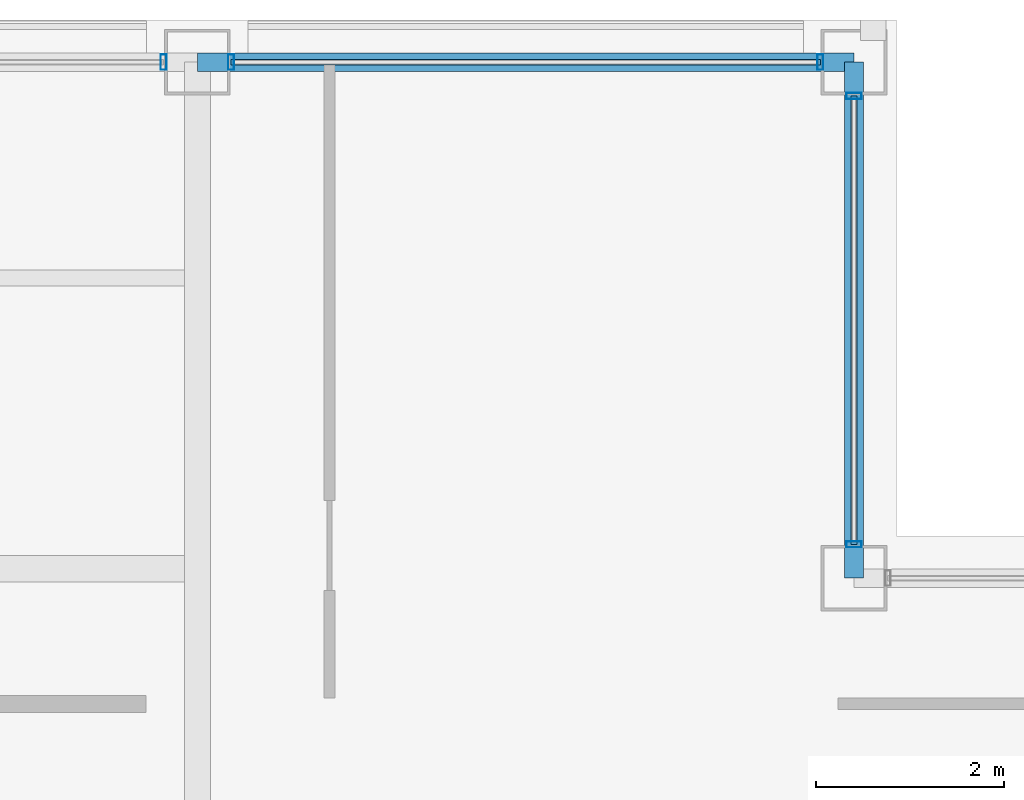
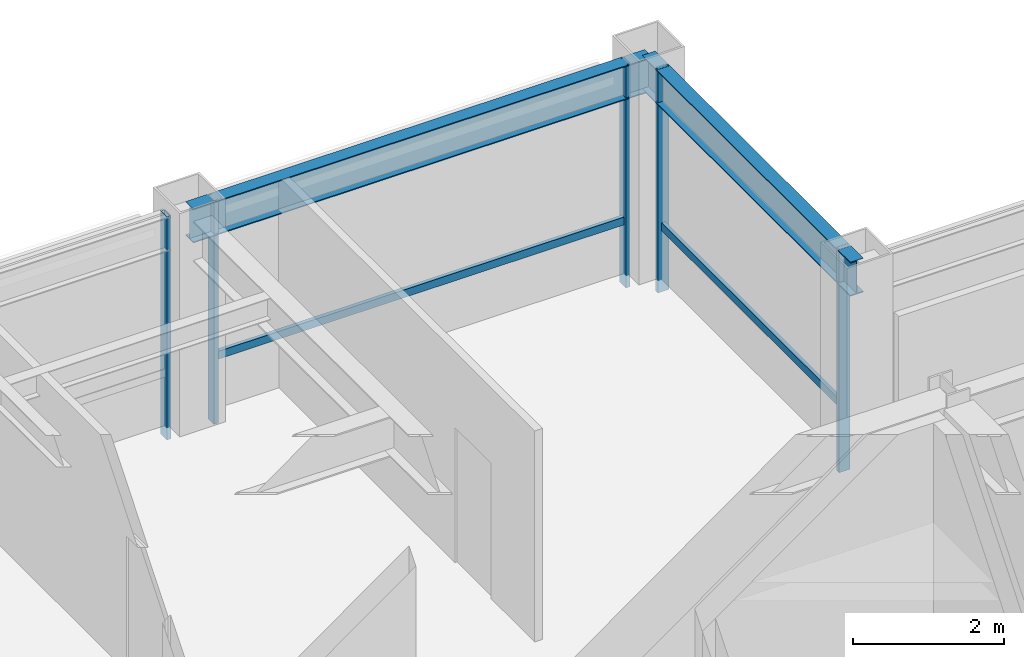
# One storey, part 20 of 26: 7 members, 2 beams, 3 elements without a shape of their own.
"""IFC4 building model written with IfcOpenShell, lengths in metres."""

from ifc_helpers import new_model, si_unit, direction, frame, origin, origin_2d, place, context, subcontext, project, spatial, hollow_rectangle, i_section, extrude, material, layer, layer_set, material_profile, profile_set, type_object, element, aggregate, save


model = new_model("IFC4")

# Units and contexts
model_context = context("Model", 3, precision=1e-05, world=origin(), true_north=direction((0.0, 1.0)))
body_context = subcontext(model_context, "Body", "Model", "MODEL_VIEW")
ifc_project = project(units=[si_unit("LENGTHUNIT", "METRE"), si_unit("AREAUNIT", "SQUARE_METRE"), si_unit("VOLUMEUNIT", "CUBIC_METRE"), si_unit("PLANEANGLEUNIT", "RADIAN"), si_unit("MASSUNIT", "GRAM", prefix="KILO")], contexts=[model_context])

# Site, building, storey
site_placement = place(None, origin())
site = spatial("IfcSite", under=ifc_project, at=site_placement, CompositionType="ELEMENT")
building_placement = place(site_placement, origin())
building = spatial("IfcBuilding", under=site, at=building_placement, Name="Brelmoor Portico Tower", CompositionType="ELEMENT")
storey_placement = place(building_placement, frame((0.0, 0.0, 205.5)))
storey = spatial("IfcBuildingStorey", under=building, at=storey_placement, Name="L54", CompositionType="ELEMENT", Elevation=205.5)

# Beams
ifc_material_1 = material(Name="Steel Q355B", Category="steel")
ifc_material_profile_1 = material_profile(ifc_material_1, i_section(OverallWidth=0.199951171875, OverallDepth=0.550048828125, WebThickness=0.010009765625, FlangeThickness=0.01611328125, at=origin_2d()), Name="HN 550x200x10x16")
ifc_profile_set_1 = profile_set([ifc_material_profile_1], Name="Steel Q355B")
beam_type = type_object("IfcBeamType", Name="BM-SP-550", PredefinedType="SPANDREL", material=ifc_profile_set_1)
beam_1_placement = place(storey_placement, frame((8.050048828125, 18.550048828125, 3.125), z_axis=(1.0, 0.0, 0.0), x_axis=(0.0, 1.0, 0.0)))
element("IfcBeam", 1, at=beam_1_placement, inside=storey, type_object=beam_type, Name="L54 Perimeter Spandrel Beam SP-10", PredefinedType="SPANDREL", context=body_context, shape_type="SweptSolid", body=[
    extrude(i_section(OverallWidth=0.199951171875, OverallDepth=0.550048828125, WebThickness=0.010009765625, FlangeThickness=0.01611328125, at=origin_2d()), origin(), (0.0, 0.0, 1.0), 7.0),
])
beam_2_placement = place(storey_placement, frame((15.050048828125, 13.050048828125, 3.125), z_axis=(0.0, 1.0, 0.0), x_axis=(-1.0, 0.0, 0.0)))
element("IfcBeam", 2, at=beam_2_placement, inside=storey, type_object=beam_type, Name="L54 Perimeter Spandrel Beam SP-17", PredefinedType="SPANDREL", context=body_context, shape_type="SweptSolid", body=[
    extrude(i_section(OverallWidth=0.199951171875, OverallDepth=0.550048828125, WebThickness=0.010009765625, FlangeThickness=0.01611328125, at=origin_2d()), origin(), (0.0, 0.0, 1.0), 5.5),
])

# Curtain wall, member
ifc_material_2 = material(Name="Anodised Aluminium Alloy 6063-T6", Category="aluminium")
ifc_layer_1 = layer(ifc_material_2, 0.179931640625)
ifc_layer_set_1 = layer_set([ifc_layer_1], Name="Anodised Aluminium Alloy 6063-T6")
curtain_wall_type_1 = type_object("IfcCurtainWallType", Name="CW-TOWER-Z3", PredefinedType="NOTDEFINED", material=ifc_layer_set_1)
curtain_wall_1_placement = place(storey_placement, origin())
curtain_wall_1 = element("IfcCurtainWall", 3, at=curtain_wall_1_placement, inside=storey, type_object=curtain_wall_type_1, Name="L54 Curtain Wall CW-L54-02-2", PredefinedType="NOTDEFINED")
ifc_material_profile_2 = material_profile(ifc_material_2, hollow_rectangle(XDim=0.06494140625, YDim=0.1650390625, WallThickness=0.00390625, at=origin_2d()), Name="ALU MULLION 65x165")
ifc_profile_set_2 = profile_set([ifc_material_profile_2], Name="Anodised Aluminium Alloy 6063-T6")
member_type_1 = type_object("IfcMemberType", Name="MB-CW-MULL-165", PredefinedType="MULLION", material=ifc_profile_set_2)
member_1_placement = place(storey_placement, frame((7.68994140625, 18.550048828125, -0.199951171875), z_axis=(0.0, 0.0, 1.0), x_axis=(1.0, 0.0, 0.0)))
member_1 = element("IfcMember", 4, at=member_1_placement, type_object=member_type_1, Name="CW-L54-02-2 Mullion 01", PredefinedType="MULLION", context=body_context, shape_type="SweptSolid", body=[
    extrude(hollow_rectangle(XDim=0.06494140625, YDim=0.1650390625, WallThickness=0.00390625, at=origin_2d()), origin(), (0.0, 0.0, 1.0), 3.599853515625),
])
aggregate(curtain_wall_1, [member_1])

# Curtain wall, members
curtain_wall_2_placement = place(storey_placement, origin())
curtain_wall_2 = element("IfcCurtainWall", 5, at=curtain_wall_2_placement, inside=storey, type_object=curtain_wall_type_1, Name="L54 Curtain Wall CW-L54-02-3", PredefinedType="NOTDEFINED")
member_2_placement = place(storey_placement, frame((8.409912109375, 18.550048828125, -0.199951171875), z_axis=(0.0, 0.0, 1.0), x_axis=(1.0, 0.0, 0.0)))
member_2 = element("IfcMember", 6, at=member_2_placement, type_object=member_type_1, Name="CW-L54-02-3 Mullion 00", PredefinedType="MULLION", context=body_context, shape_type="SweptSolid", body=[
    extrude(hollow_rectangle(XDim=0.06494140625, YDim=0.1650390625, WallThickness=0.00390625, at=origin_2d()), origin(), (0.0, 0.0, 1.0), 3.599853515625),
])
member_3_placement = place(storey_placement, frame((14.68994140625, 18.550048828125, -0.199951171875), z_axis=(0.0, 0.0, 1.0), x_axis=(1.0, 0.0, 0.0)))
member_3 = element("IfcMember", 7, at=member_3_placement, type_object=member_type_1, Name="CW-L54-02-3 Mullion 01", PredefinedType="MULLION", context=body_context, shape_type="SweptSolid", body=[
    extrude(hollow_rectangle(XDim=0.06494140625, YDim=0.1650390625, WallThickness=0.00390625, at=origin_2d()), origin(), (0.0, 0.0, 1.0), 3.599853515625),
])

ifc_layer_2 = layer(ifc_material_2, 0.179931640625)
ifc_layer_set_2 = layer_set([ifc_layer_2], Name="Anodised Aluminium Alloy 6063-T6")
curtain_wall_type_2 = type_object("IfcCurtainWallType", Name="CW-NOTCH-CHAMFER", PredefinedType="NOTDEFINED", material=ifc_layer_set_2)
curtain_wall_3_placement = place(storey_placement, origin())
curtain_wall_3 = element("IfcCurtainWall", 8, at=curtain_wall_3_placement, inside=storey, type_object=curtain_wall_type_2, Name="L54 Curtain Wall CWN-L54-NEV", PredefinedType="NOTDEFINED")
member_4_placement = place(storey_placement, frame((15.050048828125, 13.409912109375, -0.199951171875), z_axis=(0.0, 0.0, 1.0), x_axis=(0.0, 1.0, 0.0)))
member_4 = element("IfcMember", 9, at=member_4_placement, type_object=member_type_1, Name="CWN-L54-NEV Mullion 00", PredefinedType="MULLION", context=body_context, shape_type="SweptSolid", body=[
    extrude(hollow_rectangle(XDim=0.06494140625, YDim=0.1650390625, WallThickness=0.00390625, at=origin_2d()), origin(), (0.0, 0.0, 1.0), 3.599853515625),
])
member_5_placement = place(storey_placement, frame((15.050048828125, 18.18994140625, -0.199951171875), z_axis=(0.0, 0.0, 1.0), x_axis=(0.0, 1.0, 0.0)))
member_5 = element("IfcMember", 10, at=member_5_placement, type_object=member_type_1, Name="CWN-L54-NEV Mullion 01", PredefinedType="MULLION", context=body_context, shape_type="SweptSolid", body=[
    extrude(hollow_rectangle(XDim=0.06494140625, YDim=0.1650390625, WallThickness=0.00390625, at=origin_2d()), origin(), (0.0, 0.0, 1.0), 3.599853515625),
])

# Member
ifc_material_profile_3 = material_profile(ifc_material_2, hollow_rectangle(XDim=0.06005859375, YDim=0.125, WallThickness=0.00341796875, at=origin_2d()), Name="ALU TRANSOM 60x125")
ifc_profile_set_3 = profile_set([ifc_material_profile_3], Name="Anodised Aluminium Alloy 6063-T6")
member_type_2 = type_object("IfcMemberType", Name="MB-CW-TRAN-125", PredefinedType="USERDEFINED", material=ifc_profile_set_3)
member_6_placement = place(storey_placement, frame((8.409912109375, 18.550048828125, 0.85009765625), z_axis=(1.0, 0.0, 0.0), x_axis=(0.0, 1.0, 0.0)))
member_6 = element("IfcMember", 11, at=member_6_placement, type_object=member_type_2, Name="CW-L54-02-3 Transom 1-00", ObjectType="TRANSOM", PredefinedType="USERDEFINED", context=body_context, shape_type="SweptSolid", body=[
    extrude(hollow_rectangle(XDim=0.06005859375, YDim=0.125, WallThickness=0.00341796875, at=origin_2d()), origin(), (0.0, 0.0, 1.0), 6.280029296875),
])

aggregate(curtain_wall_2, [member_2, member_3, member_6])

member_7_placement = place(storey_placement, frame((15.050048828125, 13.409912109375, 0.85009765625), z_axis=(0.0, 1.0, 0.0), x_axis=(-1.0, 0.0, 0.0)))
member_7 = element("IfcMember", 12, at=member_7_placement, type_object=member_type_2, Name="CWN-L54-NEV Transom 1-00", ObjectType="TRANSOM", PredefinedType="USERDEFINED", context=body_context, shape_type="SweptSolid", body=[
    extrude(hollow_rectangle(XDim=0.06005859375, YDim=0.125, WallThickness=0.00341796875, at=origin_2d()), origin(), (0.0, 0.0, 1.0), 4.780029296875),
])

aggregate(curtain_wall_3, [member_4, member_5, member_7])

save(model, "model.ifc")
